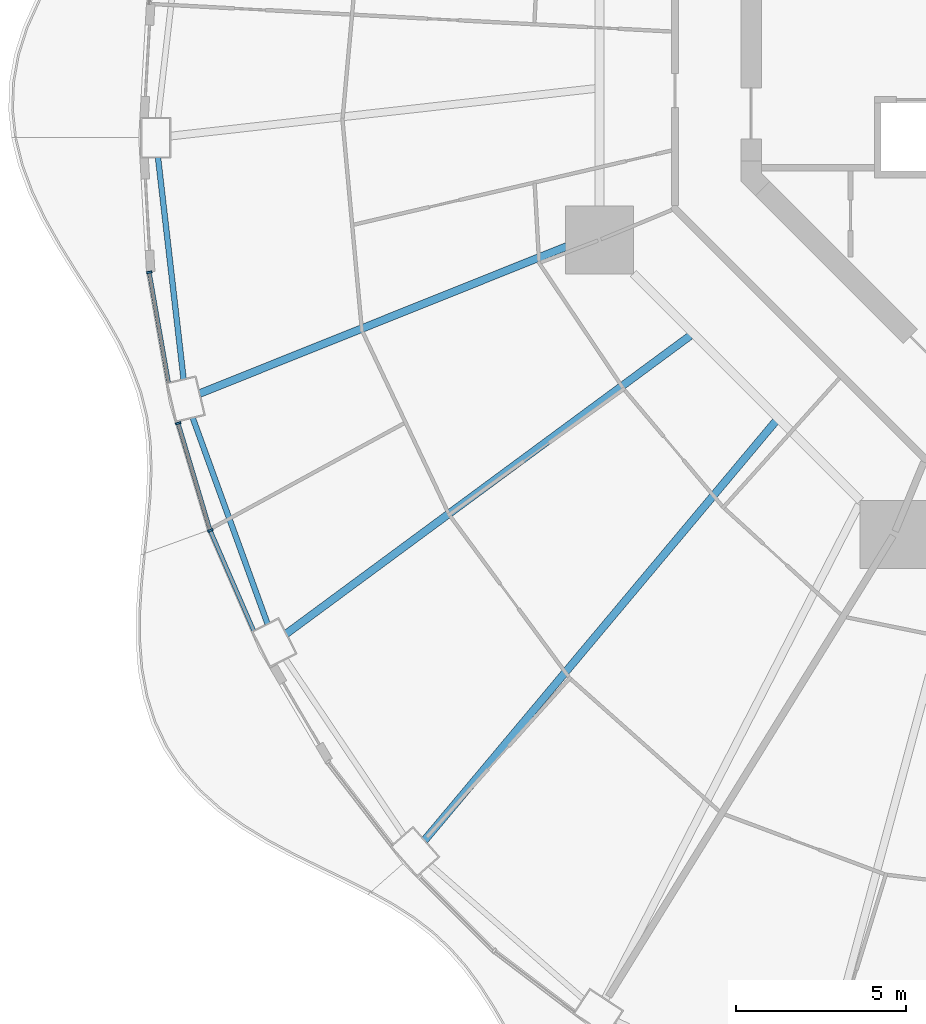
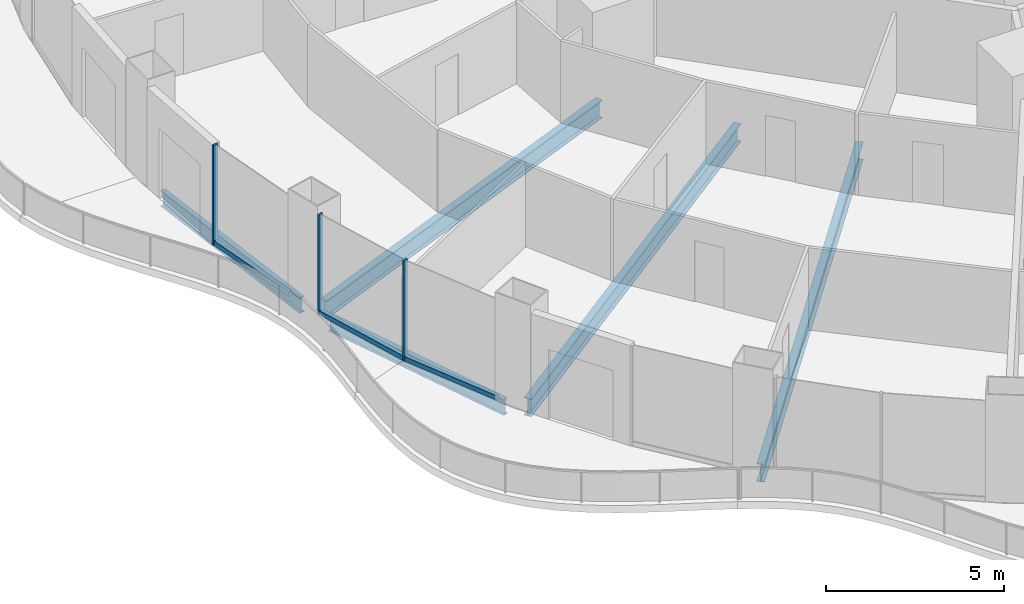
# One storey, part 3 of 19: 6 members, 5 beams, 3 elements without a shape of their own.
"""IFC4 building model written with IfcOpenShell, lengths in metres."""

from ifc_helpers import new_model, si_unit, direction, frame, origin, origin_2d, place, context, subcontext, project, spatial, rectangle, i_section, extrude, material, layer, layer_set, material_profile, profile_set, type_object, element, aggregate, save


model = new_model("IFC4")

# Units and contexts
model_context = context("Model", 3, precision=1e-05, world=origin(), true_north=direction((0.0, 1.0)))
body_context = subcontext(model_context, "Body", "Model", "MODEL_VIEW")
ifc_project = project(units=[si_unit("LENGTHUNIT", "METRE"), si_unit("AREAUNIT", "SQUARE_METRE"), si_unit("VOLUMEUNIT", "CUBIC_METRE"), si_unit("PLANEANGLEUNIT", "RADIAN"), si_unit("MASSUNIT", "GRAM", prefix="KILO")], contexts=[model_context])

# Site, building, storey
site_placement = place(None, origin())
site = spatial("IfcSite", under=ifc_project, at=site_placement, CompositionType="ELEMENT")
building_placement = place(site_placement, origin())
building = spatial("IfcBuilding", under=site, at=building_placement, Name="Nagisa Residences", CompositionType="ELEMENT")
storey_placement = place(building_placement, frame((0.0, 0.0, 149.199951171875)))
storey = spatial("IfcBuildingStorey", under=building, at=storey_placement, Name="L37", CompositionType="ELEMENT", Elevation=149.199951171875)

# Curtain wall, member
ifc_material_1 = material(Name="Concrete-coloured aluminium curtain wall system", Category="concrete")
ifc_layer = layer(ifc_material_1, 0.159912109375)
ifc_layer_set = layer_set([ifc_layer], Name="CW1 CURTAIN WALL")
curtain_wall_type = type_object("IfcCurtainWallType", Name="CW1 CURTAIN WALL", PredefinedType="NOTDEFINED", material=ifc_layer_set)
curtain_wall_1_placement = place(storey_placement, origin())
curtain_wall_1 = element("IfcCurtainWall", 1, at=curtain_wall_1_placement, inside=storey, type_object=curtain_wall_type, Name="cw:CW1:L37:25", PredefinedType="NOTDEFINED")
ifc_material_2 = material(Name="Concrete-coloured aluminium", Category="concrete")
ifc_material_profile_1 = material_profile(ifc_material_2, rectangle(XDim=0.159912109375, YDim=0.06005859375, at=origin_2d()), Name="CW1 MULLION 160x60")
ifc_profile_set_1 = profile_set([ifc_material_profile_1], Name="Concrete-coloured aluminium")
member_type_1 = type_object("IfcMemberType", Name="CW1 MULLION 160x60", PredefinedType="MULLION", material=ifc_profile_set_1)
member_1_placement = place(storey_placement, frame((-28.02392578125, -7.07470703125, 0.0), z_axis=(0.0, 0.0, 1.0), x_axis=(0.985063604377, 0.172190868898, 0.0)))
member_1 = element("IfcMember", 2, at=member_1_placement, type_object=member_type_1, Name="CW1 mullion", PredefinedType="MULLION", context=body_context, shape_type="SweptSolid", body=[
    extrude(rectangle(XDim=0.159912109375, YDim=0.06005859375, at=origin_2d()), origin(), (0.0, 0.0, 1.0), 3.43994140625),
])

curtain_wall_2_placement = place(storey_placement, origin())
curtain_wall_2 = element("IfcCurtainWall", 3, at=curtain_wall_2_placement, inside=storey, type_object=curtain_wall_type, Name="cw:CW1:L37:26", PredefinedType="NOTDEFINED")
member_2_placement = place(storey_placement, frame((-27.174072265625, -11.513671875, 0.0), z_axis=(0.0, 0.0, 1.0), x_axis=(0.958271310082, 0.285860274038, 0.0)))
member_2 = element("IfcMember", 4, at=member_2_placement, type_object=member_type_1, Name="CW1 mullion", PredefinedType="MULLION", context=body_context, shape_type="SweptSolid", body=[
    extrude(rectangle(XDim=0.159912109375, YDim=0.06005859375, at=origin_2d()), origin(), (0.0, 0.0, 1.0), 3.43994140625),
])

curtain_wall_3_placement = place(storey_placement, origin())
curtain_wall_3 = element("IfcCurtainWall", 5, at=curtain_wall_3_placement, inside=storey, type_object=curtain_wall_type, Name="cw:CW1:L37:27", PredefinedType="NOTDEFINED")
member_3_placement = place(storey_placement, frame((-26.229736328125, -14.66845703125, 0.0), z_axis=(0.0, 0.0, 1.0), x_axis=(0.917543276295, 0.397635934147, 0.0)))
member_3 = element("IfcMember", 6, at=member_3_placement, type_object=member_type_1, Name="CW1 mullion", PredefinedType="MULLION", context=body_context, shape_type="SweptSolid", body=[
    extrude(rectangle(XDim=0.159912109375, YDim=0.06005859375, at=origin_2d()), origin(), (0.0, 0.0, 1.0), 3.43994140625),
])

# Member
ifc_material_3 = material(Name="Concrete-coloured aluminium", Category="concrete")
ifc_material_profile_2 = material_profile(ifc_material_3, rectangle(XDim=0.1201171875, YDim=0.14990234375, at=origin_2d()), Name="CW1 TRANSOM 120x150")
ifc_profile_set_2 = profile_set([ifc_material_profile_2], Name="Concrete-coloured aluminium")
member_type_2 = type_object("IfcMemberType", Name="CW1 TRANSOM 120x150", PredefinedType="USERDEFINED", material=ifc_profile_set_2)
member_4_placement = place(storey_placement, frame((-28.029296875, -7.045166015625, 0.074951171875), z_axis=(0.172234609255, -0.985055957484, 0.0), x_axis=(0.985055957484, 0.172234609255, 0.0)))
member_4 = element("IfcMember", 7, at=member_4_placement, type_object=member_type_2, Name="CW1 transom", ObjectType="TRANSOM", PredefinedType="USERDEFINED", context=body_context, shape_type="SweptSolid", body=[
    extrude(rectangle(XDim=0.1201171875, YDim=0.14990234375, at=origin_2d()), origin(), (0.0, 0.0, 1.0), 3.33251953125),
])

aggregate(curtain_wall_1, [member_1, member_4])

member_5_placement = place(storey_placement, frame((-27.1826171875, -11.48486328125, 0.074951171875), z_axis=(0.285842038783, -0.958276749621, 0.0), x_axis=(0.958276749621, 0.285842038783, 0.0)))
member_5 = element("IfcMember", 8, at=member_5_placement, type_object=member_type_2, Name="CW1 transom", ObjectType="TRANSOM", PredefinedType="USERDEFINED", context=body_context, shape_type="SweptSolid", body=[
    extrude(rectangle(XDim=0.1201171875, YDim=0.14990234375, at=origin_2d()), origin(), (0.0, 0.0, 1.0), 3.302734375),
])

aggregate(curtain_wall_2, [member_2, member_5])

member_6_placement = place(storey_placement, frame((-26.24169921875, -14.64111328125, 0.074951171875), z_axis=(0.397666272939, -0.917530127771, 0.0), x_axis=(0.917530127771, 0.397666272939, 0.0)))
member_6 = element("IfcMember", 9, at=member_6_placement, type_object=member_type_2, Name="CW1 transom", ObjectType="TRANSOM", PredefinedType="USERDEFINED", context=body_context, shape_type="SweptSolid", body=[
    extrude(rectangle(XDim=0.1201171875, YDim=0.14990234375, at=origin_2d()), origin(), (0.0, 0.0, 1.0), 3.260498046875),
])

aggregate(curtain_wall_3, [member_3, member_6])

# Beams
ifc_material_4 = material(Name="Steel ASTM A572 Gr 50", Category="steel")
ifc_material_profile_3 = material_profile(ifc_material_4, i_section(OverallWidth=0.166015625, OverallDepth=0.534912109375, WebThickness=0.01025390625, FlangeThickness=0.0166015625, at=origin_2d()), Name="W530x85")
ifc_profile_set_3 = profile_set([ifc_material_profile_3], Name="Steel ASTM A572 Gr 50")
beam_type_1 = type_object("IfcBeamType", Name="Perimeter ring beam W530x85", PredefinedType="BEAM", material=ifc_profile_set_3)
beam_1_placement = place(storey_placement, frame((-27.76806640625, -3.69775390625, -0.52734375), z_axis=(0.114660786771, -0.993404703017, 0.0), x_axis=(0.993404703017, 0.114660786771, 0.0)))
element("IfcBeam", 10, at=beam_1_placement, inside=storey, type_object=beam_type_1, Name="beam:L37:pb13", PredefinedType="BEAM", context=body_context, shape_type="SweptSolid", body=[
    extrude(i_section(OverallWidth=0.166015625, OverallDepth=0.534912109375, WebThickness=0.01025390625, FlangeThickness=0.0166015625, at=origin_2d()), origin(), (0.0, 0.0, 1.0), 6.568603515625),
])
beam_2_placement = place(storey_placement, frame((-26.74853515625, -11.352294921875, -0.52734375), z_axis=(0.341366238276, -0.939930365168, 0.0), x_axis=(0.939930365168, 0.341366238276, 0.0)))
element("IfcBeam", 11, at=beam_2_placement, inside=storey, type_object=beam_type_1, Name="beam:L37:pb14", PredefinedType="BEAM", context=body_context, shape_type="SweptSolid", body=[
    extrude(i_section(OverallWidth=0.166015625, OverallDepth=0.534912109375, WebThickness=0.01025390625, FlangeThickness=0.0166015625, at=origin_2d()), origin(), (0.0, 0.0, 1.0), 6.450927734375),
])
ifc_material_5 = material(Name="Steel ASTM A572 Gr 50", Category="steel")
ifc_material_profile_4 = material_profile(ifc_material_5, i_section(OverallWidth=0.22900390625, OverallDepth=0.612060546875, WebThickness=0.011962890625, FlangeThickness=0.01953125, at=origin_2d()), Name="W610x125")
ifc_profile_set_4 = profile_set([ifc_material_profile_4], Name="Steel ASTM A572 Gr 50")
beam_type_2 = type_object("IfcBeamType", Name="Radial beam W610x125", PredefinedType="BEAM", material=ifc_profile_set_4)
beam_3_placement = place(storey_placement, frame((-26.5439453125, -10.641357421875, -0.56591796875), z_axis=(0.928186733156, 0.372114751648, 0.0), x_axis=(-0.372114751648, 0.928186733156, 0.0)))
element("IfcBeam", 12, at=beam_3_placement, inside=storey, type_object=beam_type_2, Name="beam:L37:rb14", PredefinedType="BEAM", context=body_context, shape_type="SweptSolid", body=[
    extrude(i_section(OverallWidth=0.22900390625, OverallDepth=0.612060546875, WebThickness=0.011962890625, FlangeThickness=0.01953125, at=origin_2d()), origin(), (0.0, 0.0, 1.0), 12.554931640625),
])
beam_4_placement = place(storey_placement, frame((-23.995849609375, -17.7060546875, -0.56591796875), z_axis=(0.804660796299, 0.59373479172, 0.0), x_axis=(-0.59373479172, 0.804660796299, 0.0)))
element("IfcBeam", 13, at=beam_4_placement, inside=storey, type_object=beam_type_2, Name="beam:L37:rb15", PredefinedType="BEAM", context=body_context, shape_type="SweptSolid", body=[
    extrude(i_section(OverallWidth=0.22900390625, OverallDepth=0.612060546875, WebThickness=0.011962890625, FlangeThickness=0.01953125, at=origin_2d()), origin(), (0.0, 0.0, 1.0), 14.763427734375),
])
beam_5_placement = place(storey_placement, frame((-19.929931640625, -23.78173828125, -0.56591796875), z_axis=(0.642300860107, 0.766452611128, 0.0), x_axis=(-0.766452611128, 0.642300860107, 0.0)))
element("IfcBeam", 14, at=beam_5_placement, inside=storey, type_object=beam_type_2, Name="beam:L37:rb16", PredefinedType="BEAM", context=body_context, shape_type="SweptSolid", body=[
    extrude(i_section(OverallWidth=0.22900390625, OverallDepth=0.612060546875, WebThickness=0.011962890625, FlangeThickness=0.01953125, at=origin_2d()), origin(), (0.0, 0.0, 1.0), 16.081787109375),
])

save(model, "model.ifc")
